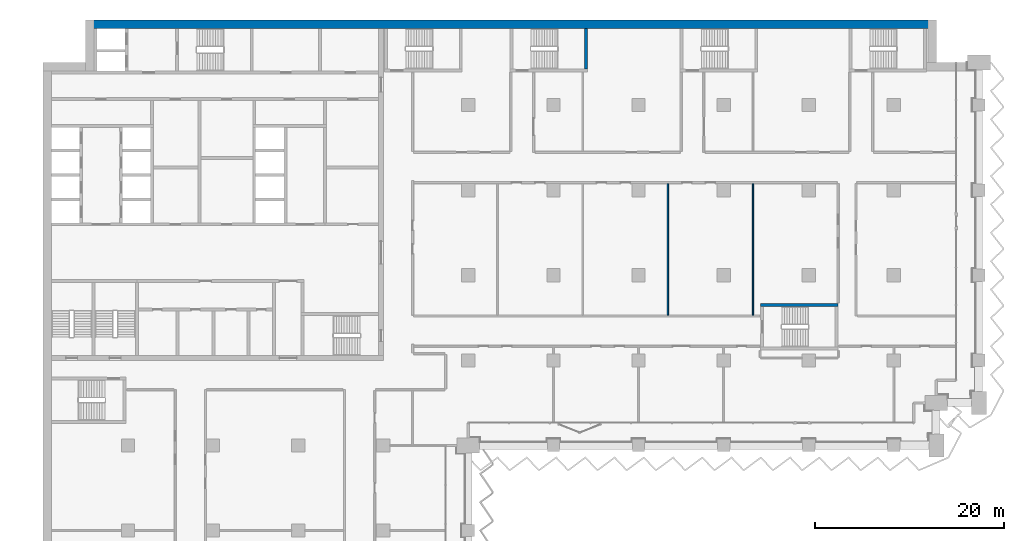
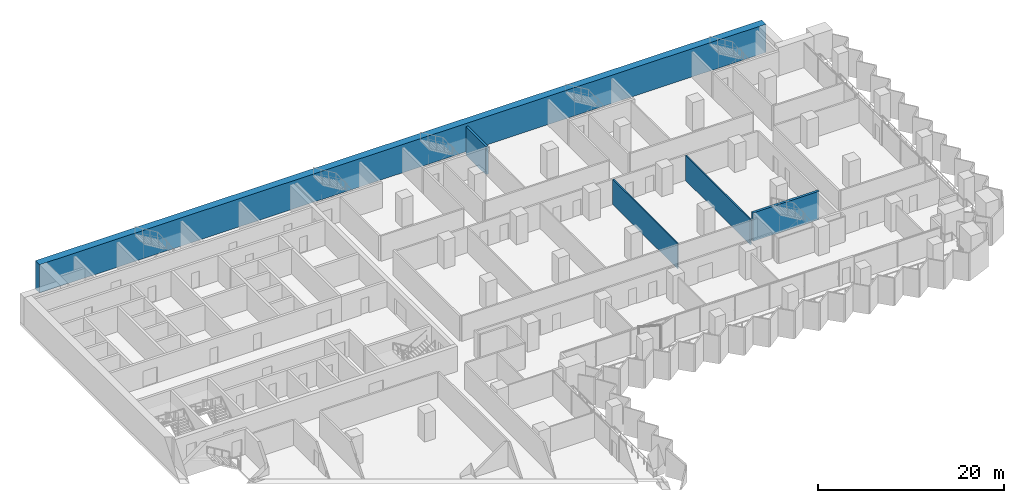
# One storey, part 17 of 28: 5 walls.
"""IFC4 building model written with IfcOpenShell, lengths in metres."""

from ifc_helpers import new_model, si_unit, direction, frame, frame_2d, origin, place, context, subcontext, project, spatial, rectangle, extrude, material, layer, layer_set, type_object, element, save


model = new_model("IFC4")

# Units and contexts
model_context = context("Model", 3, precision=1e-05, world=origin(), true_north=direction((0.0, 1.0)))
body_context = subcontext(model_context, "Body", "Model", "MODEL_VIEW")
ifc_project = project(units=[si_unit("LENGTHUNIT", "METRE"), si_unit("AREAUNIT", "SQUARE_METRE"), si_unit("VOLUMEUNIT", "CUBIC_METRE"), si_unit("PLANEANGLEUNIT", "RADIAN"), si_unit("MASSUNIT", "GRAM", prefix="KILO")], contexts=[model_context])

# Site, building, storey
site_placement = place(None, origin())
site = spatial("IfcSite", under=ifc_project, at=site_placement, CompositionType="ELEMENT")
building_placement = place(site_placement, origin())
building = spatial("IfcBuilding", under=site, at=building_placement, Name="Hunhe Ridgeline Campus", CompositionType="ELEMENT")
storey_placement = place(building_placement, frame((0.0, 0.0, 43.199951171875)))
storey = spatial("IfcBuildingStorey", under=building, at=storey_placement, Name="L09", CompositionType="ELEMENT", Elevation=43.199951171875)

# Walls
ifc_material_1 = material(Name="Gypsum board partition")
ifc_layer_1 = layer(ifc_material_1, 0.14990234375)
ifc_layer_set_1 = layer_set([ifc_layer_1], Name="Room partition 150 gypsum board on steel studs")
wall_type_1 = type_object("IfcWallType", Name="Room partition 150 gypsum board on steel studs", PredefinedType="PARTITIONING", material=ifc_layer_set_1)
for number, where, z_axis, x_axis, name in (
    (1, (66.10009765625, 81.699951171875, 0.0), (0.0, 0.0, 1.0), (0.0, -1.0, 0.0), "F-L09-wall-067"),
    (2, (75.10009765625, 81.699951171875, 0.0), (0.0, 0.0, 1.0), (0.0, -1.0, 0.0), "F-L09-wall-072"),
):
    element("IfcWall", number, at=place(storey_placement, frame(where, z_axis=z_axis, x_axis=x_axis)), inside=storey, type_object=wall_type_1, Name=name, PredefinedType="PARTITIONING", context=body_context, shape_type="SweptSolid", body=[
        extrude(rectangle(XDim=13.89990234375, YDim=0.14990234375, at=frame_2d((6.949951171875, 0.0))), origin(), (0.0, 0.0, 1.0), 3.300048828125),
    ])
ifc_material_2 = material(Name="Concrete C80", Category="concrete")
ifc_layer_2 = layer(ifc_material_2, 0.89990234375)
ifc_layer_set_2 = layer_set([ifc_layer_2], Name="Spine wall 900 Concrete C80")
wall_type_2 = type_object("IfcWallType", Name="Spine wall 900 Concrete C80", PredefinedType="SHEAR", material=ifc_layer_set_2)
wall_1_placement = place(storey_placement, frame((94.5, 98.550048828125, 0.0), z_axis=(0.0, 0.0, 1.0), x_axis=(-1.0, 0.0, 0.0)))
element("IfcWall", 3, at=wall_1_placement, inside=storey, type_object=wall_type_2, Name="Spine wall SW1-4 L09", PredefinedType="SHEAR", context=body_context, shape_type="SweptSolid", body=[
    extrude(rectangle(XDim=90.0, YDim=0.89990234375, at=frame_2d((45.0, 0.0))), origin(), (0.0, 0.0, 1.0), 3.699951171875),
])
ifc_layer_3 = layer(ifc_material_2, 0.300048828125)
ifc_layer_set_3 = layer_set([ifc_layer_3], Name="Stair wall 300 reinforced concrete C80")
wall_type_3 = type_object("IfcWallType", Name="Stair wall 300 reinforced concrete C80", PredefinedType="SOLIDWALL", material=ifc_layer_set_3)
wall_2_placement = place(storey_placement, frame((75.89990234375, 68.85009765625, -0.39990234375), z_axis=(0.0, 0.0, 1.0), x_axis=(1.0, 0.0, 0.0)))
element("IfcWall", 4, at=wall_2_placement, inside=storey, type_object=wall_type_3, Name="L09 core wall 11", PredefinedType="SOLIDWALL", context=body_context, shape_type="SweptSolid", body=[
    extrude(rectangle(XDim=8.2001953125, YDim=0.300048828125, at=frame_2d((4.10009765625, 0.0))), origin(), (0.0, 0.0, 1.0), 3.699951171875),
])
wall_3_placement = place(storey_placement, frame((57.449951171875, 93.800048828125, -0.39990234375), z_axis=(0.0, 0.0, 1.0), x_axis=(0.0, 1.0, 0.0)))
element("IfcWall", 5, at=wall_3_placement, inside=storey, type_object=wall_type_3, Name="L09 core wall 68", PredefinedType="SOLIDWALL", context=body_context, shape_type="SweptSolid", body=[
    extrude(rectangle(XDim=4.300048828125, YDim=0.300048828125, at=frame_2d((2.14990234375, 0.0))), origin(), (0.0, 0.0, 1.0), 3.699951171875),
])

save(model, "model.ifc")
